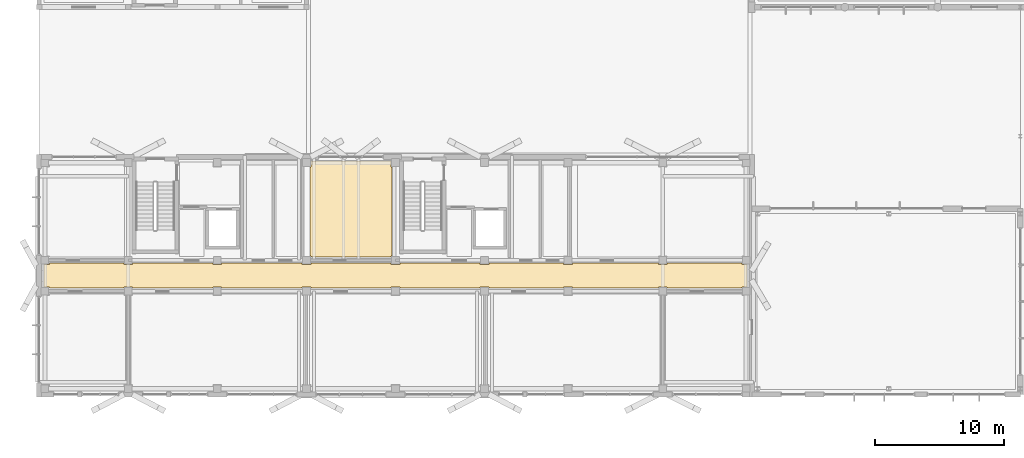
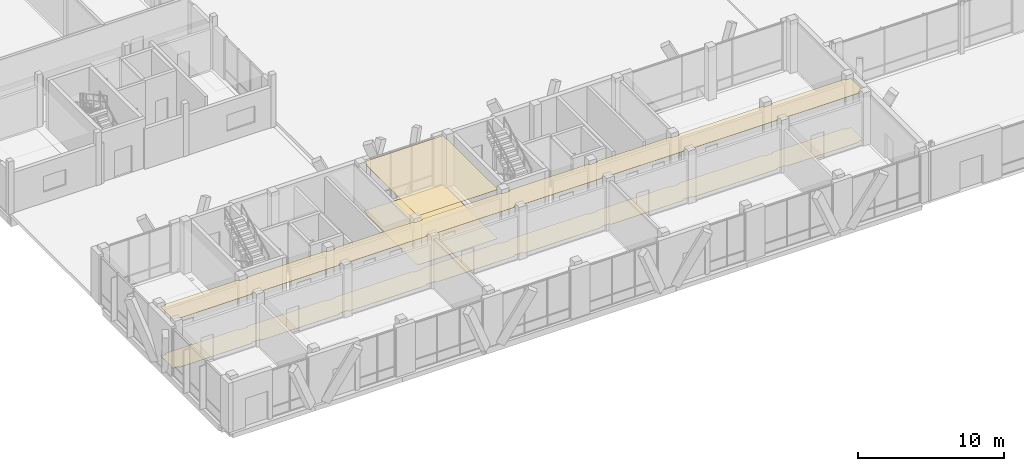
# One storey, part 209 of 233: 4 coverings.
"""IFC4 building model written with IfcOpenShell, lengths in metres."""

from ifc_helpers import new_model, si_unit, direction, frame, origin, place, context, subcontext, project, spatial, polyline, outline, extrude, material, layer, layer_set, type_object, element, save


model = new_model("IFC4")

# Units and contexts
model_context = context("Model", 3, precision=1e-05, world=origin(), true_north=direction((0.0, 1.0)))
body_context = subcontext(model_context, "Body", "Model", "MODEL_VIEW")
ifc_project = project(units=[si_unit("LENGTHUNIT", "METRE"), si_unit("AREAUNIT", "SQUARE_METRE"), si_unit("VOLUMEUNIT", "CUBIC_METRE"), si_unit("PLANEANGLEUNIT", "RADIAN"), si_unit("MASSUNIT", "GRAM", prefix="KILO")], contexts=[model_context])

# Site, building, storey
site_placement = place(None, origin())
site = spatial("IfcSite", under=ifc_project, at=site_placement, CompositionType="ELEMENT")
building_placement = place(site_placement, origin())
building = spatial("IfcBuilding", under=site, at=building_placement, Name="Zavelmont Quarter", CompositionType="ELEMENT")
storey_placement = place(building_placement, origin())
storey = spatial("IfcBuildingStorey", under=building, at=storey_placement, Name="L00", CompositionType="ELEMENT", Elevation=0.0)

# Coverings
ifc_material_1 = material(Name="Perforated acoustic gypsum board")
ifc_layer_1 = layer(ifc_material_1, 0.02490234375)
ifc_layer_set_1 = layer_set([ifc_layer_1], Name="Perforated acoustic gypsum board")
covering_type_1 = type_object("IfcCoveringType", Name="CV-CL01", PredefinedType="CEILING", material=ifc_layer_set_1)
covering_1_placement = place(storey_placement, frame((0.0, 0.0, 4.094970703125)))
element("IfcCovering", 1, at=covering_1_placement, inside=storey, type_object=covering_type_1, Name="L00 Entrance Lobby and Corridor acoustic ceiling", PredefinedType="CEILING", context=body_context, shape_type="SweptSolid", body=[
    extrude(outline(polyline([(0.3798828125, 10.06005859375), (0.780029296875, 10.06005859375), (0.780029296875, 10.169921875), (6.56005859375, 10.169921875), (6.56005859375, 10.06005859375), (7.239990234375, 10.06005859375), (7.239990234375, 10.169921875), (13.4599609375, 10.169921875), (13.4599609375, 10.06005859375), (14.139892578125, 10.06005859375), (14.139892578125, 10.169921875), (20.360107421875, 10.169921875), (20.360107421875, 10.06005859375), (21.0400390625, 10.06005859375), (21.0400390625, 10.169921875), (27.260009765625, 10.169921875), (27.260009765625, 10.06005859375), (27.93994140625, 10.06005859375), (27.93994140625, 10.169921875), (34.159912109375, 10.169921875), (34.159912109375, 10.06005859375), (34.840087890625, 10.06005859375), (34.840087890625, 10.169921875), (40.6201171875, 10.169921875), (40.6201171875, 10.06005859375), (41.300048828125, 10.06005859375), (41.300048828125, 10.169921875), (47.9599609375, 10.169921875), (47.9599609375, 10.06005859375), (48.639892578125, 10.06005859375), (48.639892578125, 10.169921875), (54.419921875, 10.169921875), (54.419921875, 10.06005859375), (54.820068359375, 10.06005859375), (54.820068359375, 8.340087890625), (54.419921875, 8.340087890625), (54.419921875, 8.22998046875), (48.639892578125, 8.22998046875), (48.639892578125, 8.340087890625), (47.9599609375, 8.340087890625), (47.9599609375, 8.22998046875), (41.300048828125, 8.22998046875), (41.300048828125, 8.340087890625), (40.6201171875, 8.340087890625), (40.6201171875, 8.22998046875), (34.840087890625, 8.22998046875), (34.840087890625, 8.340087890625), (34.159912109375, 8.340087890625), (34.159912109375, 8.22998046875), (27.93994140625, 8.22998046875), (27.93994140625, 8.340087890625), (27.260009765625, 8.340087890625), (27.260009765625, 8.22998046875), (21.0400390625, 8.22998046875), (21.0400390625, 8.340087890625), (20.360107421875, 8.340087890625), (20.360107421875, 8.22998046875), (14.139892578125, 8.22998046875), (14.139892578125, 8.340087890625), (13.4599609375, 8.340087890625), (13.4599609375, 8.22998046875), (7.239990234375, 8.22998046875), (7.239990234375, 8.340087890625), (6.56005859375, 8.340087890625), (6.56005859375, 8.22998046875), (0.780029296875, 8.22998046875), (0.780029296875, 8.340087890625), (0.3798828125, 8.340087890625), (0.3798828125, 10.06005859375)])), origin(), (0.0, 0.0, 1.0), 0.025146484375),
])
covering_2_placement = place(storey_placement, frame((0.0, 0.0, 4.094970703125)))
element("IfcCovering", 2, at=covering_2_placement, inside=storey, type_object=covering_type_1, Name="L00 Residents Workshop acoustic ceiling", PredefinedType="CEILING", context=body_context, shape_type="SweptSolid", body=[
    extrude(outline(polyline([(20.97998046875, 17.6201171875), (21.0400390625, 17.6201171875), (21.0400390625, 18.070068359375), (27.260009765625, 18.070068359375), (27.260009765625, 17.6201171875), (27.320068359375, 17.6201171875), (27.320068359375, 10.739990234375), (27.260009765625, 10.739990234375), (27.260009765625, 10.6298828125), (21.0400390625, 10.6298828125), (21.0400390625, 10.739990234375), (20.97998046875, 10.739990234375), (20.97998046875, 17.6201171875)])), origin(), (0.0, 0.0, 1.0), 0.025146484375),
])
ifc_material_2 = material(Name="Engineered European oak parquet")
ifc_layer_2 = layer(ifc_material_2, 0.02197265625)
ifc_layer_set_2 = layer_set([ifc_layer_2], Name="Engineered European oak parquet")
covering_type_2 = type_object("IfcCoveringType", Name="CV-FL01", PredefinedType="FLOORING", material=ifc_layer_set_2)
covering_3_placement = place(storey_placement, origin())
element("IfcCovering", 3, at=covering_3_placement, inside=storey, type_object=covering_type_2, Name="L00 Entrance Lobby and Corridor floor finish", PredefinedType="FLOORING", context=body_context, shape_type="SweptSolid", body=[
    extrude(outline(polyline([(0.3798828125, 10.06005859375), (0.780029296875, 10.06005859375), (0.780029296875, 10.169921875), (6.56005859375, 10.169921875), (6.56005859375, 10.06005859375), (7.239990234375, 10.06005859375), (7.239990234375, 10.169921875), (13.4599609375, 10.169921875), (13.4599609375, 10.06005859375), (14.139892578125, 10.06005859375), (14.139892578125, 10.169921875), (20.360107421875, 10.169921875), (20.360107421875, 10.06005859375), (21.0400390625, 10.06005859375), (21.0400390625, 10.169921875), (27.260009765625, 10.169921875), (27.260009765625, 10.06005859375), (27.93994140625, 10.06005859375), (27.93994140625, 10.169921875), (34.159912109375, 10.169921875), (34.159912109375, 10.06005859375), (34.840087890625, 10.06005859375), (34.840087890625, 10.169921875), (40.6201171875, 10.169921875), (40.6201171875, 10.06005859375), (41.300048828125, 10.06005859375), (41.300048828125, 10.169921875), (47.9599609375, 10.169921875), (47.9599609375, 10.06005859375), (48.639892578125, 10.06005859375), (48.639892578125, 10.169921875), (54.419921875, 10.169921875), (54.419921875, 10.06005859375), (54.820068359375, 10.06005859375), (54.820068359375, 8.340087890625), (54.419921875, 8.340087890625), (54.419921875, 8.22998046875), (48.639892578125, 8.22998046875), (48.639892578125, 8.340087890625), (47.9599609375, 8.340087890625), (47.9599609375, 8.22998046875), (41.300048828125, 8.22998046875), (41.300048828125, 8.340087890625), (40.6201171875, 8.340087890625), (40.6201171875, 8.22998046875), (34.840087890625, 8.22998046875), (34.840087890625, 8.340087890625), (34.159912109375, 8.340087890625), (34.159912109375, 8.22998046875), (27.93994140625, 8.22998046875), (27.93994140625, 8.340087890625), (27.260009765625, 8.340087890625), (27.260009765625, 8.22998046875), (21.0400390625, 8.22998046875), (21.0400390625, 8.340087890625), (20.360107421875, 8.340087890625), (20.360107421875, 8.22998046875), (14.139892578125, 8.22998046875), (14.139892578125, 8.340087890625), (13.4599609375, 8.340087890625), (13.4599609375, 8.22998046875), (7.239990234375, 8.22998046875), (7.239990234375, 8.340087890625), (6.56005859375, 8.340087890625), (6.56005859375, 8.22998046875), (0.780029296875, 8.22998046875), (0.780029296875, 8.340087890625), (0.3798828125, 8.340087890625), (0.3798828125, 10.06005859375)])), origin(), (0.0, 0.0, 1.0), 0.02197265625),
])
covering_4_placement = place(storey_placement, origin())
element("IfcCovering", 4, at=covering_4_placement, inside=storey, type_object=covering_type_2, Name="L00 Residents Workshop floor finish", PredefinedType="FLOORING", context=body_context, shape_type="SweptSolid", body=[
    extrude(outline(polyline([(20.97998046875, 17.6201171875), (21.0400390625, 17.6201171875), (21.0400390625, 18.070068359375), (27.260009765625, 18.070068359375), (27.260009765625, 17.6201171875), (27.320068359375, 17.6201171875), (27.320068359375, 10.739990234375), (27.260009765625, 10.739990234375), (27.260009765625, 10.6298828125), (21.0400390625, 10.6298828125), (21.0400390625, 10.739990234375), (20.97998046875, 10.739990234375), (20.97998046875, 17.6201171875)])), origin(), (0.0, 0.0, 1.0), 0.02197265625),
])

save(model, "model.ifc")
